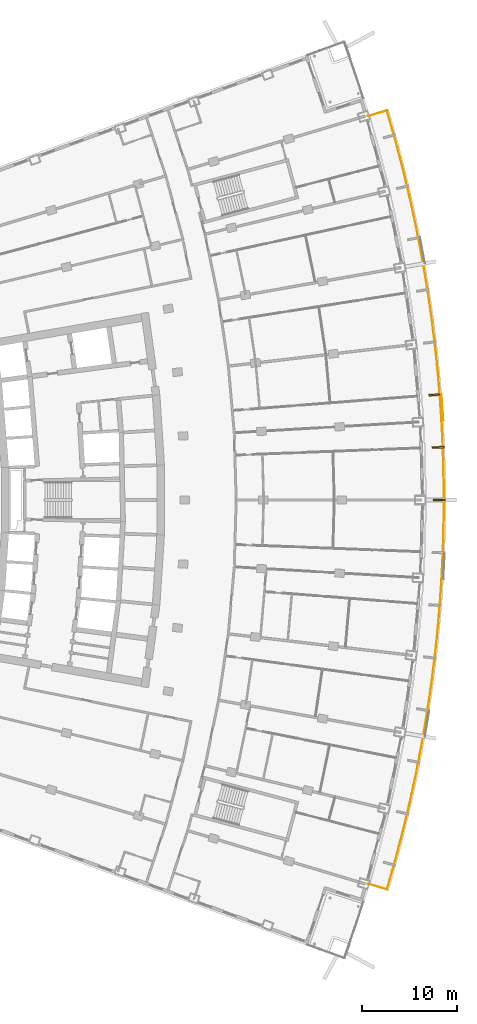
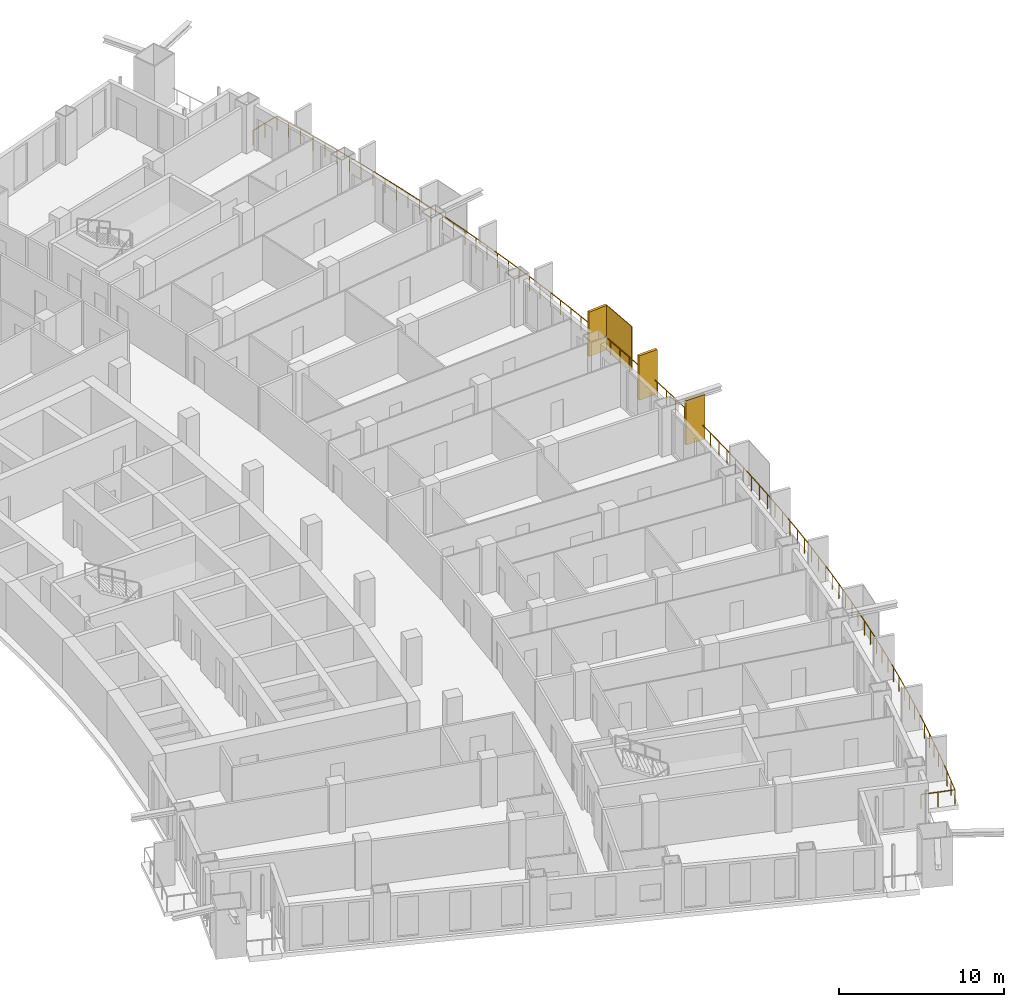
# One storey, part 24 of 25: 4 shading devices, 1 railing.
"""IFC4 building model written with IfcOpenShell, lengths in metres."""

from ifc_helpers import new_model, si_unit, direction, frame, origin, origin_2d, place, context, subcontext, project, spatial, rectangle, extrude, material, layer, layer_set, type_object, element, save


model = new_model("IFC4")

# Units and contexts
model_context = context("Model", 3, precision=1e-05, world=origin(), true_north=direction((0.0, 1.0)))
body_context = subcontext(model_context, "Body", "Model", "MODEL_VIEW")
ifc_project = project(units=[si_unit("LENGTHUNIT", "METRE"), si_unit("AREAUNIT", "SQUARE_METRE"), si_unit("VOLUMEUNIT", "CUBIC_METRE"), si_unit("PLANEANGLEUNIT", "RADIAN"), si_unit("MASSUNIT", "GRAM", prefix="KILO")], contexts=[model_context])

# Site, building, storey
site_placement = place(None, origin())
site = spatial("IfcSite", under=ifc_project, at=site_placement, CompositionType="ELEMENT")
building_placement = place(site_placement, origin())
building = spatial("IfcBuilding", under=site, at=building_placement, Name="Alderwake Tower", CompositionType="ELEMENT")
storey_placement = place(building_placement, frame((0.0, 0.0, 122.0)))
storey = spatial("IfcBuildingStorey", under=building, at=storey_placement, Name="L30", CompositionType="ELEMENT", Elevation=122.0)

# Railing
ifc_material_1 = material(Name="Stainless steel 316 rail and posts", Category="steel")
railing_type = type_object("IfcRailingType", Name="Balcony guard 1100", PredefinedType="GUARDRAIL", material=ifc_material_1)
railing_placement = place(storey_placement, frame((55.0732421875, 20.550048828125, 0.0)))
element("IfcRailing", 1, at=railing_placement, inside=storey, type_object=railing_type, Name="Guard BF02", PredefinedType="GUARDRAIL", context=body_context, shape_type="SweptSolid", body=[
    extrude(rectangle(XDim=0.048095703125, YDim=0.048095703125, at=origin_2d()), frame((0.0, 0.0, 1.076171875), z_axis=(0.957954179098, -0.286921227429, 0.0), x_axis=(0.286921227429, 0.957954179098, 0.0)), (0.0, 0.0, 1.0), 2.10009765625),
    extrude(rectangle(XDim=0.048095703125, YDim=0.048095703125, at=origin_2d()), frame((2.01171875, -0.6025390625, 1.076171875), z_axis=(0.280283097099, 0.959917384716, 0.0), x_axis=(-0.959917384716, 0.280283097099, 0.0)), (0.0, 0.0, 1.0), 1.98681640625),
    extrude(rectangle(XDim=0.048095703125, YDim=0.048095703125, at=origin_2d()), frame((2.568603515625, 1.3046875, 1.076171875), z_axis=(0.266491255264, 0.963837336311, 0.0), x_axis=(-0.963837336311, 0.266491255264, 0.0)), (0.0, 0.0, 1.0), 2.0869140625),
    extrude(rectangle(XDim=0.048095703125, YDim=0.048095703125, at=origin_2d()), frame((3.124755859375, 3.316162109375, 1.076171875), z_axis=(0.252459995682, 0.967607332848, 0.0), x_axis=(-0.967607332848, 0.252459995682, 0.0)), (0.0, 0.0, 1.0), 2.0869140625),
    extrude(rectangle(XDim=0.048095703125, YDim=0.048095703125, at=origin_2d()), frame((3.651611328125, 5.33544921875, 1.076171875), z_axis=(0.238321472338, 0.971186323947, 0.0), x_axis=(-0.971186323947, 0.238321472338, 0.0)), (0.0, 0.0, 1.0), 2.086669921875),
    extrude(rectangle(XDim=0.048095703125, YDim=0.048095703125, at=origin_2d()), frame((4.14892578125, 7.362060546875, 1.076171875), z_axis=(0.224158804419, 0.974552630904, 0.0), x_axis=(-0.974552630904, 0.224158804419, 0.0)), (0.0, 0.0, 1.0), 2.0869140625),
    extrude(rectangle(XDim=0.048095703125, YDim=0.048095703125, at=origin_2d()), frame((4.61669921875, 9.395751953125, 1.076171875), z_axis=(0.209864613259, 0.97773045575, 0.0), x_axis=(-0.97773045575, 0.209864613259, 0.0)), (0.0, 0.0, 1.0), 2.0869140625),
    extrude(rectangle(XDim=0.048095703125, YDim=0.048095703125, at=origin_2d()), frame((5.0546875, 11.436279296875, 1.076171875), z_axis=(0.195621117445, 0.980679549297, 0.0), x_axis=(-0.980679549297, 0.195621117445, 0.0)), (0.0, 0.0, 1.0), 2.086669921875),
    extrude(rectangle(XDim=0.048095703125, YDim=0.048095703125, at=origin_2d()), frame((5.462890625, 13.482666015625, 1.076171875), z_axis=(0.181201135189, 0.983446057802, 0.0), x_axis=(-0.983446057802, 0.181201135189, 0.0)), (0.0, 0.0, 1.0), 2.087158203125),
    extrude(rectangle(XDim=0.048095703125, YDim=0.048095703125, at=origin_2d()), frame((5.841064453125, 15.53515625, 1.076171875), z_axis=(0.16695979662, 0.985963704359, 0.0), x_axis=(-0.985963704359, 0.16695979662, 0.0)), (0.0, 0.0, 1.0), 2.086669921875),
    extrude(rectangle(XDim=0.048095703125, YDim=0.048095703125, at=origin_2d()), frame((6.189453125, 17.592529296875, 1.076171875), z_axis=(0.152549452359, 0.988295838595, 0.0), x_axis=(-0.988295838595, 0.152549452359, 0.0)), (0.0, 0.0, 1.0), 2.0869140625),
    extrude(rectangle(XDim=0.048095703125, YDim=0.048095703125, at=origin_2d()), frame((6.5078125, 19.655029296875, 1.076171875), z_axis=(0.138046582794, 0.990425737236, 0.0), x_axis=(-0.990425737236, 0.138046582794, 0.0)), (0.0, 0.0, 1.0), 2.0869140625),
    extrude(rectangle(XDim=0.048095703125, YDim=0.048095703125, at=origin_2d()), frame((6.7958984375, 21.721923828125, 1.076171875), z_axis=(0.123660351943, 0.992324602818, 0.0), x_axis=(-0.992324602818, 0.123660351943, 0.0)), (0.0, 0.0, 1.0), 2.0869140625),
    extrude(rectangle(XDim=0.048095703125, YDim=0.048095703125, at=origin_2d()), frame((7.053955078125, 23.792724609375, 1.076171875), z_axis=(0.109147447014, 0.994025570501, 0.0), x_axis=(-0.994025570501, 0.109147447014, 0.0)), (0.0, 0.0, 1.0), 2.0869140625),
    extrude(rectangle(XDim=0.048095703125, YDim=0.048095703125, at=origin_2d()), frame((7.28173828125, 25.8671875, 1.076171875), z_axis=(0.094648979103, 0.995510708508, 0.0), x_axis=(-0.995510708508, 0.094648979103, 0.0)), (0.0, 0.0, 1.0), 2.086669921875),
    extrude(rectangle(XDim=0.048095703125, YDim=0.048095703125, at=origin_2d()), frame((7.479248046875, 27.944580078125, 1.076171875), z_axis=(0.080131119252, 0.996784331602, 0.0), x_axis=(-0.996784331602, 0.080131119252, 0.0)), (0.0, 0.0, 1.0), 2.0869140625),
    extrude(rectangle(XDim=0.048095703125, YDim=0.048095703125, at=origin_2d()), frame((7.646484375, 30.02490234375, 1.076171875), z_axis=(0.065633762523, 0.997843779966, 0.0), x_axis=(-0.997843779966, 0.065633762523, 0.0)), (0.0, 0.0, 1.0), 2.086669921875),
    extrude(rectangle(XDim=0.048095703125, YDim=0.048095703125, at=origin_2d()), frame((7.783447265625, 32.107177734375, 1.076171875), z_axis=(0.051005329057, 0.998698381098, 0.0), x_axis=(-0.998698381098, 0.051005329057, 0.0)), (0.0, 0.0, 1.0), 2.0869140625),
    extrude(rectangle(XDim=0.048095703125, YDim=0.048095703125, at=origin_2d()), frame((7.889892578125, 34.19140625, 1.076171875), z_axis=(0.036384228407, 0.999337874757, 0.0), x_axis=(-0.999337874757, 0.036384228407, 0.0)), (0.0, 0.0, 1.0), 2.0869140625),
    extrude(rectangle(XDim=0.048095703125, YDim=0.048095703125, at=origin_2d()), frame((7.9658203125, 36.27685546875, 1.076171875), z_axis=(0.021878904325, 0.999760628123, 0.0), x_axis=(-0.999760628123, 0.021878904325, 0.0)), (0.0, 0.0, 1.0), 2.086669921875),
    extrude(rectangle(XDim=0.048095703125, YDim=0.048095703125, at=origin_2d()), frame((8.011474609375, 38.363037109375, 1.076171875), z_axis=(0.007369944902, 0.999972841587, 0.0), x_axis=(-0.999972841587, 0.007369944902, 0.0)), (0.0, 0.0, 1.0), 2.0869140625),
    extrude(rectangle(XDim=0.048095703125, YDim=0.048095703125, at=origin_2d()), frame((8.02685546875, 40.449951171875, 1.076171875), z_axis=(-0.007369944902, 0.999972841587, 0.0), x_axis=(-0.999972841587, -0.007369944902, 0.0)), (0.0, 0.0, 1.0), 2.0869140625),
    extrude(rectangle(XDim=0.048095703125, YDim=0.048095703125, at=origin_2d()), frame((8.011474609375, 42.536865234375, 1.076171875), z_axis=(-0.021878904325, 0.999760628123, 0.0), x_axis=(-0.999760628123, -0.021878904325, 0.0)), (0.0, 0.0, 1.0), 2.086669921875),
    extrude(rectangle(XDim=0.048095703125, YDim=0.048095703125, at=origin_2d()), frame((7.9658203125, 44.623046875, 1.076171875), z_axis=(-0.036384228407, 0.999337874757, 0.0), x_axis=(-0.999337874757, -0.036384228407, 0.0)), (0.0, 0.0, 1.0), 2.0869140625),
    extrude(rectangle(XDim=0.048095703125, YDim=0.048095703125, at=origin_2d()), frame((7.889892578125, 46.70849609375, 1.076171875), z_axis=(-0.051005329057, 0.998698381098, 0.0), x_axis=(-0.998698381098, -0.051005329057, 0.0)), (0.0, 0.0, 1.0), 2.0869140625),
    extrude(rectangle(XDim=0.048095703125, YDim=0.048095703125, at=origin_2d()), frame((7.783447265625, 48.792724609375, 1.076171875), z_axis=(-0.065633762523, 0.997843779966, 0.0), x_axis=(-0.997843779966, -0.065633762523, 0.0)), (0.0, 0.0, 1.0), 2.086669921875),
    extrude(rectangle(XDim=0.048095703125, YDim=0.048095703125, at=origin_2d()), frame((7.646484375, 50.875, 1.076171875), z_axis=(-0.080131119252, 0.996784331602, 0.0), x_axis=(-0.996784331602, -0.080131119252, 0.0)), (0.0, 0.0, 1.0), 2.0869140625),
    extrude(rectangle(XDim=0.048095703125, YDim=0.048095703125, at=origin_2d()), frame((7.479248046875, 52.955322265625, 1.076171875), z_axis=(-0.094648979103, 0.995510708508, 0.0), x_axis=(-0.995510708508, -0.094648979103, 0.0)), (0.0, 0.0, 1.0), 2.086669921875),
    extrude(rectangle(XDim=0.048095703125, YDim=0.048095703125, at=origin_2d()), frame((7.28173828125, 55.03271484375, 1.076171875), z_axis=(-0.109147447014, 0.994025570501, 0.0), x_axis=(-0.994025570501, -0.109147447014, 0.0)), (0.0, 0.0, 1.0), 2.0869140625),
    extrude(rectangle(XDim=0.048095703125, YDim=0.048095703125, at=origin_2d()), frame((7.053955078125, 57.107177734375, 1.076171875), z_axis=(-0.123660351943, 0.992324602818, 0.0), x_axis=(-0.992324602818, -0.123660351943, 0.0)), (0.0, 0.0, 1.0), 2.0869140625),
    extrude(rectangle(XDim=0.048095703125, YDim=0.048095703125, at=origin_2d()), frame((6.7958984375, 59.177978515625, 1.076171875), z_axis=(-0.138046582794, 0.990425737236, 0.0), x_axis=(-0.990425737236, -0.138046582794, 0.0)), (0.0, 0.0, 1.0), 2.0869140625),
    extrude(rectangle(XDim=0.048095703125, YDim=0.048095703125, at=origin_2d()), frame((6.5078125, 61.244873046875, 1.076171875), z_axis=(-0.152549452359, 0.988295838595, 0.0), x_axis=(-0.988295838595, -0.152549452359, 0.0)), (0.0, 0.0, 1.0), 2.0869140625),
    extrude(rectangle(XDim=0.048095703125, YDim=0.048095703125, at=origin_2d()), frame((6.189453125, 63.307373046875, 1.076171875), z_axis=(-0.16695979662, 0.985963704359, 0.0), x_axis=(-0.985963704359, -0.16695979662, 0.0)), (0.0, 0.0, 1.0), 2.086669921875),
    extrude(rectangle(XDim=0.048095703125, YDim=0.048095703125, at=origin_2d()), frame((5.841064453125, 65.36474609375, 1.076171875), z_axis=(-0.181201135189, 0.983446057802, 0.0), x_axis=(-0.983446057802, -0.181201135189, 0.0)), (0.0, 0.0, 1.0), 2.087158203125),
    extrude(rectangle(XDim=0.048095703125, YDim=0.048095703125, at=origin_2d()), frame((5.462890625, 67.417236328125, 1.076171875), z_axis=(-0.195621117445, 0.980679549297, 0.0), x_axis=(-0.980679549297, -0.195621117445, 0.0)), (0.0, 0.0, 1.0), 2.086669921875),
    extrude(rectangle(XDim=0.048095703125, YDim=0.048095703125, at=origin_2d()), frame((5.0546875, 69.463623046875, 1.076171875), z_axis=(-0.209864613259, 0.97773045575, 0.0), x_axis=(-0.97773045575, -0.209864613259, 0.0)), (0.0, 0.0, 1.0), 2.0869140625),
    extrude(rectangle(XDim=0.048095703125, YDim=0.048095703125, at=origin_2d()), frame((4.61669921875, 71.504150390625, 1.076171875), z_axis=(-0.224158804419, 0.974552630904, 0.0), x_axis=(-0.974552630904, -0.224158804419, 0.0)), (0.0, 0.0, 1.0), 2.0869140625),
    extrude(rectangle(XDim=0.048095703125, YDim=0.048095703125, at=origin_2d()), frame((4.14892578125, 73.537841796875, 1.076171875), z_axis=(-0.238321472338, 0.971186323947, 0.0), x_axis=(-0.971186323947, -0.238321472338, 0.0)), (0.0, 0.0, 1.0), 2.086669921875),
    extrude(rectangle(XDim=0.048095703125, YDim=0.048095703125, at=origin_2d()), frame((3.651611328125, 75.564453125, 1.076171875), z_axis=(-0.252459995682, 0.967607332848, 0.0), x_axis=(-0.967607332848, -0.252459995682, 0.0)), (0.0, 0.0, 1.0), 2.0869140625),
    extrude(rectangle(XDim=0.048095703125, YDim=0.048095703125, at=origin_2d()), frame((3.124755859375, 77.583740234375, 1.076171875), z_axis=(-0.266491255264, 0.963837336311, 0.0), x_axis=(-0.963837336311, -0.266491255264, 0.0)), (0.0, 0.0, 1.0), 2.0869140625),
    extrude(rectangle(XDim=0.048095703125, YDim=0.048095703125, at=origin_2d()), frame((2.568603515625, 79.59521484375, 1.076171875), z_axis=(-0.280283097099, 0.959917384716, 0.0), x_axis=(-0.959917384716, -0.280283097099, 0.0)), (0.0, 0.0, 1.0), 1.98681640625),
    extrude(rectangle(XDim=0.048095703125, YDim=0.048095703125, at=origin_2d()), frame((2.01171875, 81.50244140625, 1.076171875), z_axis=(-0.957954179098, -0.286921227429, 0.0), x_axis=(0.286921227429, -0.957954179098, 0.0)), (0.0, 0.0, 1.0), 2.10009765625),
    extrude(rectangle(XDim=0.0419921875, YDim=0.0419921875, at=origin_2d()), frame((0.0, 0.0, 0.0), z_axis=(0.0, 0.0, 1.0), x_axis=(0.957954179098, -0.286921227429, 0.0)), (0.0, 0.0, 1.0), 1.052001953125),
    extrude(rectangle(XDim=0.0419921875, YDim=0.0419921875, at=origin_2d()), frame((1.005859375, -0.30126953125, 0.0), z_axis=(0.0, 0.0, 1.0), x_axis=(0.957954179098, -0.286921227429, 0.0)), (0.0, 0.0, 1.0), 1.052001953125),
    extrude(rectangle(XDim=0.0419921875, YDim=0.0419921875, at=origin_2d()), frame((2.01171875, -0.6025390625, 0.0), z_axis=(0.0, 0.0, 1.0), x_axis=(0.280283097099, 0.959917384716, 0.0)), (0.0, 0.0, 1.0), 1.052001953125),
    extrude(rectangle(XDim=0.0419921875, YDim=0.0419921875, at=origin_2d()), frame((2.2900390625, 0.35107421875, 0.0), z_axis=(0.0, 0.0, 1.0), x_axis=(0.280283097099, 0.959917384716, 0.0)), (0.0, 0.0, 1.0), 1.052001953125),
    extrude(rectangle(XDim=0.0419921875, YDim=0.0419921875, at=origin_2d()), frame((2.568603515625, 1.3046875, 0.0), z_axis=(0.0, 0.0, 1.0), x_axis=(0.266491255264, 0.963837336311, 0.0)), (0.0, 0.0, 1.0), 1.052001953125),
    extrude(rectangle(XDim=0.0419921875, YDim=0.0419921875, at=origin_2d()), frame((2.8466796875, 2.310546875, 0.0), z_axis=(0.0, 0.0, 1.0), x_axis=(0.266491255264, 0.963837336311, 0.0)), (0.0, 0.0, 1.0), 1.052001953125),
    extrude(rectangle(XDim=0.0419921875, YDim=0.0419921875, at=origin_2d()), frame((3.124755859375, 3.316162109375, 0.0), z_axis=(0.0, 0.0, 1.0), x_axis=(0.252459995682, 0.967607332848, 0.0)), (0.0, 0.0, 1.0), 1.052001953125),
    extrude(rectangle(XDim=0.0419921875, YDim=0.0419921875, at=origin_2d()), frame((3.38818359375, 4.32568359375, 0.0), z_axis=(0.0, 0.0, 1.0), x_axis=(0.252459995682, 0.967607332848, 0.0)), (0.0, 0.0, 1.0), 1.052001953125),
    extrude(rectangle(XDim=0.0419921875, YDim=0.0419921875, at=origin_2d()), frame((3.651611328125, 5.33544921875, 0.0), z_axis=(0.0, 0.0, 1.0), x_axis=(0.238321472338, 0.971186323947, 0.0)), (0.0, 0.0, 1.0), 1.052001953125),
    extrude(rectangle(XDim=0.0419921875, YDim=0.0419921875, at=origin_2d()), frame((3.900390625, 6.3486328125, 0.0), z_axis=(0.0, 0.0, 1.0), x_axis=(0.238321472338, 0.971186323947, 0.0)), (0.0, 0.0, 1.0), 1.052001953125),
    extrude(rectangle(XDim=0.0419921875, YDim=0.0419921875, at=origin_2d()), frame((4.14892578125, 7.362060546875, 0.0), z_axis=(0.0, 0.0, 1.0), x_axis=(0.224158804419, 0.974552630904, 0.0)), (0.0, 0.0, 1.0), 1.052001953125),
    extrude(rectangle(XDim=0.0419921875, YDim=0.0419921875, at=origin_2d()), frame((4.3828125, 8.37890625, 0.0), z_axis=(0.0, 0.0, 1.0), x_axis=(0.224158804419, 0.974552630904, 0.0)), (0.0, 0.0, 1.0), 1.052001953125),
    extrude(rectangle(XDim=0.0419921875, YDim=0.0419921875, at=origin_2d()), frame((4.61669921875, 9.395751953125, 0.0), z_axis=(0.0, 0.0, 1.0), x_axis=(0.209864613259, 0.97773045575, 0.0)), (0.0, 0.0, 1.0), 1.052001953125),
    extrude(rectangle(XDim=0.0419921875, YDim=0.0419921875, at=origin_2d()), frame((4.835693359375, 10.416015625, 0.0), z_axis=(0.0, 0.0, 1.0), x_axis=(0.209864613259, 0.97773045575, 0.0)), (0.0, 0.0, 1.0), 1.052001953125),
    extrude(rectangle(XDim=0.0419921875, YDim=0.0419921875, at=origin_2d()), frame((5.0546875, 11.436279296875, 0.0), z_axis=(0.0, 0.0, 1.0), x_axis=(0.195621117445, 0.980679549297, 0.0)), (0.0, 0.0, 1.0), 1.052001953125),
    extrude(rectangle(XDim=0.0419921875, YDim=0.0419921875, at=origin_2d()), frame((5.2587890625, 12.45947265625, 0.0), z_axis=(0.0, 0.0, 1.0), x_axis=(0.195621117445, 0.980679549297, 0.0)), (0.0, 0.0, 1.0), 1.052001953125),
    extrude(rectangle(XDim=0.0419921875, YDim=0.0419921875, at=origin_2d()), frame((5.462890625, 13.482666015625, 0.0), z_axis=(0.0, 0.0, 1.0), x_axis=(0.181201135189, 0.983446057802, 0.0)), (0.0, 0.0, 1.0), 1.052001953125),
    extrude(rectangle(XDim=0.0419921875, YDim=0.0419921875, at=origin_2d()), frame((5.65185546875, 14.5087890625, 0.0), z_axis=(0.0, 0.0, 1.0), x_axis=(0.181201135189, 0.983446057802, 0.0)), (0.0, 0.0, 1.0), 1.052001953125),
    extrude(rectangle(XDim=0.0419921875, YDim=0.0419921875, at=origin_2d()), frame((5.841064453125, 15.53515625, 0.0), z_axis=(0.0, 0.0, 1.0), x_axis=(0.16695979662, 0.985963704359, 0.0)), (0.0, 0.0, 1.0), 1.052001953125),
    extrude(rectangle(XDim=0.0419921875, YDim=0.0419921875, at=origin_2d()), frame((6.01513671875, 16.56396484375, 0.0), z_axis=(0.0, 0.0, 1.0), x_axis=(0.16695979662, 0.985963704359, 0.0)), (0.0, 0.0, 1.0), 1.052001953125),
    extrude(rectangle(XDim=0.0419921875, YDim=0.0419921875, at=origin_2d()), frame((6.189453125, 17.592529296875, 0.0), z_axis=(0.0, 0.0, 1.0), x_axis=(0.152549452359, 0.988295838595, 0.0)), (0.0, 0.0, 1.0), 1.052001953125),
    extrude(rectangle(XDim=0.0419921875, YDim=0.0419921875, at=origin_2d()), frame((6.3486328125, 18.623779296875, 0.0), z_axis=(0.0, 0.0, 1.0), x_axis=(0.152549452359, 0.988295838595, 0.0)), (0.0, 0.0, 1.0), 1.052001953125),
    extrude(rectangle(XDim=0.0419921875, YDim=0.0419921875, at=origin_2d()), frame((6.5078125, 19.655029296875, 0.0), z_axis=(0.0, 0.0, 1.0), x_axis=(0.138046582794, 0.990425737236, 0.0)), (0.0, 0.0, 1.0), 1.052001953125),
    extrude(rectangle(XDim=0.0419921875, YDim=0.0419921875, at=origin_2d()), frame((6.65185546875, 20.6884765625, 0.0), z_axis=(0.0, 0.0, 1.0), x_axis=(0.138046582794, 0.990425737236, 0.0)), (0.0, 0.0, 1.0), 1.052001953125),
    extrude(rectangle(XDim=0.0419921875, YDim=0.0419921875, at=origin_2d()), frame((6.7958984375, 21.721923828125, 0.0), z_axis=(0.0, 0.0, 1.0), x_axis=(0.123660351943, 0.992324602818, 0.0)), (0.0, 0.0, 1.0), 1.052001953125),
    extrude(rectangle(XDim=0.0419921875, YDim=0.0419921875, at=origin_2d()), frame((6.9248046875, 22.75732421875, 0.0), z_axis=(0.0, 0.0, 1.0), x_axis=(0.123660351943, 0.992324602818, 0.0)), (0.0, 0.0, 1.0), 1.052001953125),
    extrude(rectangle(XDim=0.0419921875, YDim=0.0419921875, at=origin_2d()), frame((7.053955078125, 23.792724609375, 0.0), z_axis=(0.0, 0.0, 1.0), x_axis=(0.109147447014, 0.994025570501, 0.0)), (0.0, 0.0, 1.0), 1.052001953125),
    extrude(rectangle(XDim=0.0419921875, YDim=0.0419921875, at=origin_2d()), frame((7.16796875, 24.830078125, 0.0), z_axis=(0.0, 0.0, 1.0), x_axis=(0.109147447014, 0.994025570501, 0.0)), (0.0, 0.0, 1.0), 1.052001953125),
    extrude(rectangle(XDim=0.0419921875, YDim=0.0419921875, at=origin_2d()), frame((7.28173828125, 25.8671875, 0.0), z_axis=(0.0, 0.0, 1.0), x_axis=(0.094648979103, 0.995510708508, 0.0)), (0.0, 0.0, 1.0), 1.052001953125),
    extrude(rectangle(XDim=0.0419921875, YDim=0.0419921875, at=origin_2d()), frame((7.38037109375, 26.90576171875, 0.0), z_axis=(0.0, 0.0, 1.0), x_axis=(0.094648979103, 0.995510708508, 0.0)), (0.0, 0.0, 1.0), 1.052001953125),
    extrude(rectangle(XDim=0.0419921875, YDim=0.0419921875, at=origin_2d()), frame((7.479248046875, 27.944580078125, 0.0), z_axis=(0.0, 0.0, 1.0), x_axis=(0.080131119252, 0.996784331602, 0.0)), (0.0, 0.0, 1.0), 1.052001953125),
    extrude(rectangle(XDim=0.0419921875, YDim=0.0419921875, at=origin_2d()), frame((7.56298828125, 28.98486328125, 0.0), z_axis=(0.0, 0.0, 1.0), x_axis=(0.080131119252, 0.996784331602, 0.0)), (0.0, 0.0, 1.0), 1.052001953125),
    extrude(rectangle(XDim=0.0419921875, YDim=0.0419921875, at=origin_2d()), frame((7.646484375, 30.02490234375, 0.0), z_axis=(0.0, 0.0, 1.0), x_axis=(0.065633762523, 0.997843779966, 0.0)), (0.0, 0.0, 1.0), 1.052001953125),
    extrude(rectangle(XDim=0.0419921875, YDim=0.0419921875, at=origin_2d()), frame((7.71484375, 31.06591796875, 0.0), z_axis=(0.0, 0.0, 1.0), x_axis=(0.065633762523, 0.997843779966, 0.0)), (0.0, 0.0, 1.0), 1.052001953125),
    extrude(rectangle(XDim=0.0419921875, YDim=0.0419921875, at=origin_2d()), frame((7.783447265625, 32.107177734375, 0.0), z_axis=(0.0, 0.0, 1.0), x_axis=(0.051005329057, 0.998698381098, 0.0)), (0.0, 0.0, 1.0), 1.052001953125),
    extrude(rectangle(XDim=0.0419921875, YDim=0.0419921875, at=origin_2d()), frame((7.836669921875, 33.1494140625, 0.0), z_axis=(0.0, 0.0, 1.0), x_axis=(0.051005329057, 0.998698381098, 0.0)), (0.0, 0.0, 1.0), 1.052001953125),
    extrude(rectangle(XDim=0.0419921875, YDim=0.0419921875, at=origin_2d()), frame((7.889892578125, 34.19140625, 0.0), z_axis=(0.0, 0.0, 1.0), x_axis=(0.036384228407, 0.999337874757, 0.0)), (0.0, 0.0, 1.0), 1.052001953125),
    extrude(rectangle(XDim=0.0419921875, YDim=0.0419921875, at=origin_2d()), frame((7.927734375, 35.234130859375, 0.0), z_axis=(0.0, 0.0, 1.0), x_axis=(0.036384228407, 0.999337874757, 0.0)), (0.0, 0.0, 1.0), 1.052001953125),
    extrude(rectangle(XDim=0.0419921875, YDim=0.0419921875, at=origin_2d()), frame((7.9658203125, 36.27685546875, 0.0), z_axis=(0.0, 0.0, 1.0), x_axis=(0.021878904325, 0.999760628123, 0.0)), (0.0, 0.0, 1.0), 1.052001953125),
    extrude(rectangle(XDim=0.0419921875, YDim=0.0419921875, at=origin_2d()), frame((7.98876953125, 37.31982421875, 0.0), z_axis=(0.0, 0.0, 1.0), x_axis=(0.021878904325, 0.999760628123, 0.0)), (0.0, 0.0, 1.0), 1.052001953125),
    extrude(rectangle(XDim=0.0419921875, YDim=0.0419921875, at=origin_2d()), frame((8.011474609375, 38.363037109375, 0.0), z_axis=(0.0, 0.0, 1.0), x_axis=(0.007369944902, 0.999972841587, 0.0)), (0.0, 0.0, 1.0), 1.052001953125),
    extrude(rectangle(XDim=0.0419921875, YDim=0.0419921875, at=origin_2d()), frame((8.01904296875, 39.406494140625, 0.0), z_axis=(0.0, 0.0, 1.0), x_axis=(0.007369944902, 0.999972841587, 0.0)), (0.0, 0.0, 1.0), 1.052001953125),
    extrude(rectangle(XDim=0.0419921875, YDim=0.0419921875, at=origin_2d()), frame((8.02685546875, 40.449951171875, 0.0), z_axis=(0.0, 0.0, 1.0), x_axis=(-0.007369944902, 0.999972841587, 0.0)), (0.0, 0.0, 1.0), 1.052001953125),
    extrude(rectangle(XDim=0.0419921875, YDim=0.0419921875, at=origin_2d()), frame((8.01904296875, 41.493408203125, 0.0), z_axis=(0.0, 0.0, 1.0), x_axis=(-0.007369944902, 0.999972841587, 0.0)), (0.0, 0.0, 1.0), 1.052001953125),
    extrude(rectangle(XDim=0.0419921875, YDim=0.0419921875, at=origin_2d()), frame((8.011474609375, 42.536865234375, 0.0), z_axis=(0.0, 0.0, 1.0), x_axis=(-0.021878904325, 0.999760628123, 0.0)), (0.0, 0.0, 1.0), 1.052001953125),
    extrude(rectangle(XDim=0.0419921875, YDim=0.0419921875, at=origin_2d()), frame((7.98876953125, 43.580078125, 0.0), z_axis=(0.0, 0.0, 1.0), x_axis=(-0.021878904325, 0.999760628123, 0.0)), (0.0, 0.0, 1.0), 1.052001953125),
    extrude(rectangle(XDim=0.0419921875, YDim=0.0419921875, at=origin_2d()), frame((7.9658203125, 44.623046875, 0.0), z_axis=(0.0, 0.0, 1.0), x_axis=(-0.036384228407, 0.999337874757, 0.0)), (0.0, 0.0, 1.0), 1.052001953125),
    extrude(rectangle(XDim=0.0419921875, YDim=0.0419921875, at=origin_2d()), frame((7.927734375, 45.665771484375, 0.0), z_axis=(0.0, 0.0, 1.0), x_axis=(-0.036384228407, 0.999337874757, 0.0)), (0.0, 0.0, 1.0), 1.052001953125),
    extrude(rectangle(XDim=0.0419921875, YDim=0.0419921875, at=origin_2d()), frame((7.889892578125, 46.70849609375, 0.0), z_axis=(0.0, 0.0, 1.0), x_axis=(-0.051005329057, 0.998698381098, 0.0)), (0.0, 0.0, 1.0), 1.052001953125),
    extrude(rectangle(XDim=0.0419921875, YDim=0.0419921875, at=origin_2d()), frame((7.836669921875, 47.75048828125, 0.0), z_axis=(0.0, 0.0, 1.0), x_axis=(-0.051005329057, 0.998698381098, 0.0)), (0.0, 0.0, 1.0), 1.052001953125),
    extrude(rectangle(XDim=0.0419921875, YDim=0.0419921875, at=origin_2d()), frame((7.783447265625, 48.792724609375, 0.0), z_axis=(0.0, 0.0, 1.0), x_axis=(-0.065633762523, 0.997843779966, 0.0)), (0.0, 0.0, 1.0), 1.052001953125),
    extrude(rectangle(XDim=0.0419921875, YDim=0.0419921875, at=origin_2d()), frame((7.71484375, 49.833984375, 0.0), z_axis=(0.0, 0.0, 1.0), x_axis=(-0.065633762523, 0.997843779966, 0.0)), (0.0, 0.0, 1.0), 1.052001953125),
    extrude(rectangle(XDim=0.0419921875, YDim=0.0419921875, at=origin_2d()), frame((7.646484375, 50.875, 0.0), z_axis=(0.0, 0.0, 1.0), x_axis=(-0.080131119252, 0.996784331602, 0.0)), (0.0, 0.0, 1.0), 1.052001953125),
    extrude(rectangle(XDim=0.0419921875, YDim=0.0419921875, at=origin_2d()), frame((7.56298828125, 51.9150390625, 0.0), z_axis=(0.0, 0.0, 1.0), x_axis=(-0.080131119252, 0.996784331602, 0.0)), (0.0, 0.0, 1.0), 1.052001953125),
    extrude(rectangle(XDim=0.0419921875, YDim=0.0419921875, at=origin_2d()), frame((7.479248046875, 52.955322265625, 0.0), z_axis=(0.0, 0.0, 1.0), x_axis=(-0.094648979103, 0.995510708508, 0.0)), (0.0, 0.0, 1.0), 1.052001953125),
    extrude(rectangle(XDim=0.0419921875, YDim=0.0419921875, at=origin_2d()), frame((7.38037109375, 53.994140625, 0.0), z_axis=(0.0, 0.0, 1.0), x_axis=(-0.094648979103, 0.995510708508, 0.0)), (0.0, 0.0, 1.0), 1.052001953125),
    extrude(rectangle(XDim=0.0419921875, YDim=0.0419921875, at=origin_2d()), frame((7.28173828125, 55.03271484375, 0.0), z_axis=(0.0, 0.0, 1.0), x_axis=(-0.109147447014, 0.994025570501, 0.0)), (0.0, 0.0, 1.0), 1.052001953125),
    extrude(rectangle(XDim=0.0419921875, YDim=0.0419921875, at=origin_2d()), frame((7.16796875, 56.06982421875, 0.0), z_axis=(0.0, 0.0, 1.0), x_axis=(-0.109147447014, 0.994025570501, 0.0)), (0.0, 0.0, 1.0), 1.052001953125),
    extrude(rectangle(XDim=0.0419921875, YDim=0.0419921875, at=origin_2d()), frame((7.053955078125, 57.107177734375, 0.0), z_axis=(0.0, 0.0, 1.0), x_axis=(-0.123660351943, 0.992324602818, 0.0)), (0.0, 0.0, 1.0), 1.052001953125),
    extrude(rectangle(XDim=0.0419921875, YDim=0.0419921875, at=origin_2d()), frame((6.9248046875, 58.142578125, 0.0), z_axis=(0.0, 0.0, 1.0), x_axis=(-0.123660351943, 0.992324602818, 0.0)), (0.0, 0.0, 1.0), 1.052001953125),
    extrude(rectangle(XDim=0.0419921875, YDim=0.0419921875, at=origin_2d()), frame((6.7958984375, 59.177978515625, 0.0), z_axis=(0.0, 0.0, 1.0), x_axis=(-0.138046582794, 0.990425737236, 0.0)), (0.0, 0.0, 1.0), 1.052001953125),
    extrude(rectangle(XDim=0.0419921875, YDim=0.0419921875, at=origin_2d()), frame((6.65185546875, 60.21142578125, 0.0), z_axis=(0.0, 0.0, 1.0), x_axis=(-0.138046582794, 0.990425737236, 0.0)), (0.0, 0.0, 1.0), 1.052001953125),
    extrude(rectangle(XDim=0.0419921875, YDim=0.0419921875, at=origin_2d()), frame((6.5078125, 61.244873046875, 0.0), z_axis=(0.0, 0.0, 1.0), x_axis=(-0.152549452359, 0.988295838595, 0.0)), (0.0, 0.0, 1.0), 1.052001953125),
    extrude(rectangle(XDim=0.0419921875, YDim=0.0419921875, at=origin_2d()), frame((6.3486328125, 62.276123046875, 0.0), z_axis=(0.0, 0.0, 1.0), x_axis=(-0.152549452359, 0.988295838595, 0.0)), (0.0, 0.0, 1.0), 1.052001953125),
    extrude(rectangle(XDim=0.0419921875, YDim=0.0419921875, at=origin_2d()), frame((6.189453125, 63.307373046875, 0.0), z_axis=(0.0, 0.0, 1.0), x_axis=(-0.16695979662, 0.985963704359, 0.0)), (0.0, 0.0, 1.0), 1.052001953125),
    extrude(rectangle(XDim=0.0419921875, YDim=0.0419921875, at=origin_2d()), frame((6.01513671875, 64.3359375, 0.0), z_axis=(0.0, 0.0, 1.0), x_axis=(-0.16695979662, 0.985963704359, 0.0)), (0.0, 0.0, 1.0), 1.052001953125),
    extrude(rectangle(XDim=0.0419921875, YDim=0.0419921875, at=origin_2d()), frame((5.841064453125, 65.36474609375, 0.0), z_axis=(0.0, 0.0, 1.0), x_axis=(-0.181201135189, 0.983446057802, 0.0)), (0.0, 0.0, 1.0), 1.052001953125),
    extrude(rectangle(XDim=0.0419921875, YDim=0.0419921875, at=origin_2d()), frame((5.65185546875, 66.39111328125, 0.0), z_axis=(0.0, 0.0, 1.0), x_axis=(-0.181201135189, 0.983446057802, 0.0)), (0.0, 0.0, 1.0), 1.052001953125),
    extrude(rectangle(XDim=0.0419921875, YDim=0.0419921875, at=origin_2d()), frame((5.462890625, 67.417236328125, 0.0), z_axis=(0.0, 0.0, 1.0), x_axis=(-0.195621117445, 0.980679549297, 0.0)), (0.0, 0.0, 1.0), 1.052001953125),
    extrude(rectangle(XDim=0.0419921875, YDim=0.0419921875, at=origin_2d()), frame((5.2587890625, 68.4404296875, 0.0), z_axis=(0.0, 0.0, 1.0), x_axis=(-0.195621117445, 0.980679549297, 0.0)), (0.0, 0.0, 1.0), 1.052001953125),
    extrude(rectangle(XDim=0.0419921875, YDim=0.0419921875, at=origin_2d()), frame((5.0546875, 69.463623046875, 0.0), z_axis=(0.0, 0.0, 1.0), x_axis=(-0.209864613259, 0.97773045575, 0.0)), (0.0, 0.0, 1.0), 1.052001953125),
    extrude(rectangle(XDim=0.0419921875, YDim=0.0419921875, at=origin_2d()), frame((4.835693359375, 70.48388671875, 0.0), z_axis=(0.0, 0.0, 1.0), x_axis=(-0.209864613259, 0.97773045575, 0.0)), (0.0, 0.0, 1.0), 1.052001953125),
    extrude(rectangle(XDim=0.0419921875, YDim=0.0419921875, at=origin_2d()), frame((4.61669921875, 71.504150390625, 0.0), z_axis=(0.0, 0.0, 1.0), x_axis=(-0.224158804419, 0.974552630904, 0.0)), (0.0, 0.0, 1.0), 1.052001953125),
    extrude(rectangle(XDim=0.0419921875, YDim=0.0419921875, at=origin_2d()), frame((4.3828125, 72.52099609375, 0.0), z_axis=(0.0, 0.0, 1.0), x_axis=(-0.224158804419, 0.974552630904, 0.0)), (0.0, 0.0, 1.0), 1.052001953125),
    extrude(rectangle(XDim=0.0419921875, YDim=0.0419921875, at=origin_2d()), frame((4.14892578125, 73.537841796875, 0.0), z_axis=(0.0, 0.0, 1.0), x_axis=(-0.238321472338, 0.971186323947, 0.0)), (0.0, 0.0, 1.0), 1.052001953125),
    extrude(rectangle(XDim=0.0419921875, YDim=0.0419921875, at=origin_2d()), frame((3.900390625, 74.55126953125, 0.0), z_axis=(0.0, 0.0, 1.0), x_axis=(-0.238321472338, 0.971186323947, 0.0)), (0.0, 0.0, 1.0), 1.052001953125),
    extrude(rectangle(XDim=0.0419921875, YDim=0.0419921875, at=origin_2d()), frame((3.651611328125, 75.564453125, 0.0), z_axis=(0.0, 0.0, 1.0), x_axis=(-0.252459995682, 0.967607332848, 0.0)), (0.0, 0.0, 1.0), 1.052001953125),
    extrude(rectangle(XDim=0.0419921875, YDim=0.0419921875, at=origin_2d()), frame((3.38818359375, 76.57421875, 0.0), z_axis=(0.0, 0.0, 1.0), x_axis=(-0.252459995682, 0.967607332848, 0.0)), (0.0, 0.0, 1.0), 1.052001953125),
    extrude(rectangle(XDim=0.0419921875, YDim=0.0419921875, at=origin_2d()), frame((3.124755859375, 77.583740234375, 0.0), z_axis=(0.0, 0.0, 1.0), x_axis=(-0.266491255264, 0.963837336311, 0.0)), (0.0, 0.0, 1.0), 1.052001953125),
    extrude(rectangle(XDim=0.0419921875, YDim=0.0419921875, at=origin_2d()), frame((2.8466796875, 78.58935546875, 0.0), z_axis=(0.0, 0.0, 1.0), x_axis=(-0.266491255264, 0.963837336311, 0.0)), (0.0, 0.0, 1.0), 1.052001953125),
    extrude(rectangle(XDim=0.0419921875, YDim=0.0419921875, at=origin_2d()), frame((2.568603515625, 79.59521484375, 0.0), z_axis=(0.0, 0.0, 1.0), x_axis=(-0.280283097099, 0.959917384716, 0.0)), (0.0, 0.0, 1.0), 1.052001953125),
    extrude(rectangle(XDim=0.0419921875, YDim=0.0419921875, at=origin_2d()), frame((2.2900390625, 80.548828125, 0.0), z_axis=(0.0, 0.0, 1.0), x_axis=(-0.280283097099, 0.959917384716, 0.0)), (0.0, 0.0, 1.0), 1.052001953125),
    extrude(rectangle(XDim=0.0419921875, YDim=0.0419921875, at=origin_2d()), frame((2.01171875, 81.50244140625, 0.0), z_axis=(0.0, 0.0, 1.0), x_axis=(-0.957954179098, -0.286921227429, 0.0)), (0.0, 0.0, 1.0), 1.052001953125),
    extrude(rectangle(XDim=0.0419921875, YDim=0.0419921875, at=origin_2d()), frame((1.005859375, 81.201171875, 0.0), z_axis=(0.0, 0.0, 1.0), x_axis=(-0.957954179098, -0.286921227429, 0.0)), (0.0, 0.0, 1.0), 1.052001953125),
    extrude(rectangle(XDim=0.0419921875, YDim=0.0419921875, at=origin_2d()), frame((0.0, 80.89990234375, 0.0), z_axis=(0.0, 0.0, 1.0), x_axis=(-0.957954179098, -0.286921227429, 0.0)), (0.0, 0.0, 1.0), 1.052001953125),
])

# Shading devices
ifc_material_2 = material(Name="Bronze anodised aluminium", Category="aluminium")
ifc_layer_1 = layer(ifc_material_2, 0.179931640625)
ifc_layer_set_1 = layer_set([ifc_layer_1], Name="Facade fin 1300")
shading_device_type_1 = type_object("IfcShadingDeviceType", Name="Facade fin 1300", PredefinedType="USERDEFINED", material=ifc_layer_set_1)
for number, where, z_axis, x_axis, name in (
    (2, (62.60009765625, 61.0, 0.0), (0.0, 0.0, 1.0), (1.0, 0.0, 0.0), "Fin"),
    (3, (62.4921875, 66.545654296875, 0.0), (0.0, 0.0, 1.0), (0.999243494356, 0.038890088543, 0.0), "Fin"),
    (4, (62.168701171875, 72.0830078125, 0.0), (0.0, 0.0, 1.0), (0.996975122026, 0.077721335943, 0.0), "Fin"),
):
    element("IfcShadingDevice", number, at=place(storey_placement, frame(where, z_axis=z_axis, x_axis=x_axis)), inside=storey, type_object=shading_device_type_1, Name=name, ObjectType="FIN", PredefinedType="USERDEFINED", context=body_context, shape_type="SweptSolid", body=[
        extrude(rectangle(XDim=1.300048828125, YDim=0.179931640625, at=origin_2d()), origin(), (0.0, 0.0, 1.0), 3.280029296875),
    ])
ifc_material_3 = material(Name="Perforated bronze anodised aluminium", Category="aluminium")
ifc_layer_2 = layer(ifc_material_3, 0.050048828125)
ifc_layer_set_2 = layer_set([ifc_layer_2], Name="Perforated screen panel")
shading_device_type_2 = type_object("IfcShadingDeviceType", Name="Perforated screen panel", PredefinedType="USERDEFINED", material=ifc_layer_set_2)
shading_device_placement = place(storey_placement, frame((62.9365234375, 70.741943359375, 0.0), z_axis=(0.0, 0.0, 1.0), x_axis=(0.997685465774, 0.067997877779, 0.0)))
element("IfcShadingDevice", 5, at=shading_device_placement, inside=storey, type_object=shading_device_type_2, Name="Screen panel", ObjectType="SCREEN", PredefinedType="USERDEFINED", context=body_context, shape_type="SweptSolid", body=[
    extrude(rectangle(XDim=0.050048828125, YDim=2.793701171875, at=origin_2d()), origin(), (0.0, 0.0, 1.0), 3.280029296875),
])

save(model, "model.ifc")
